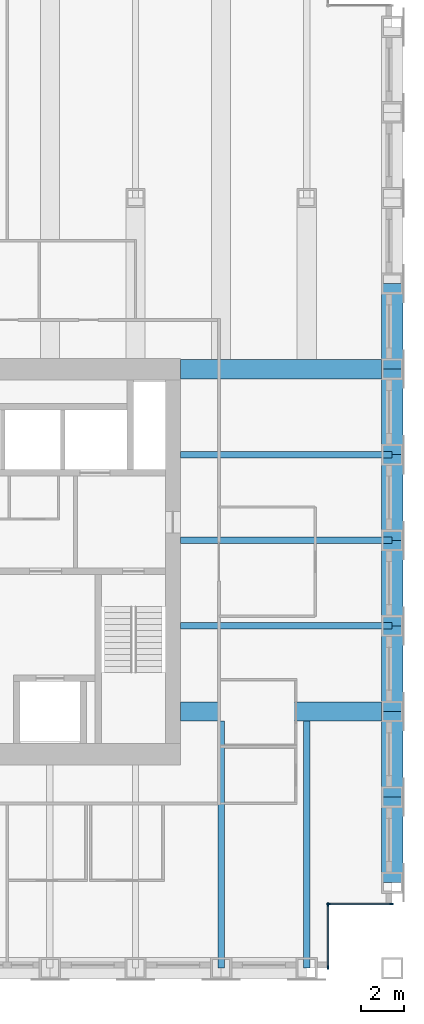
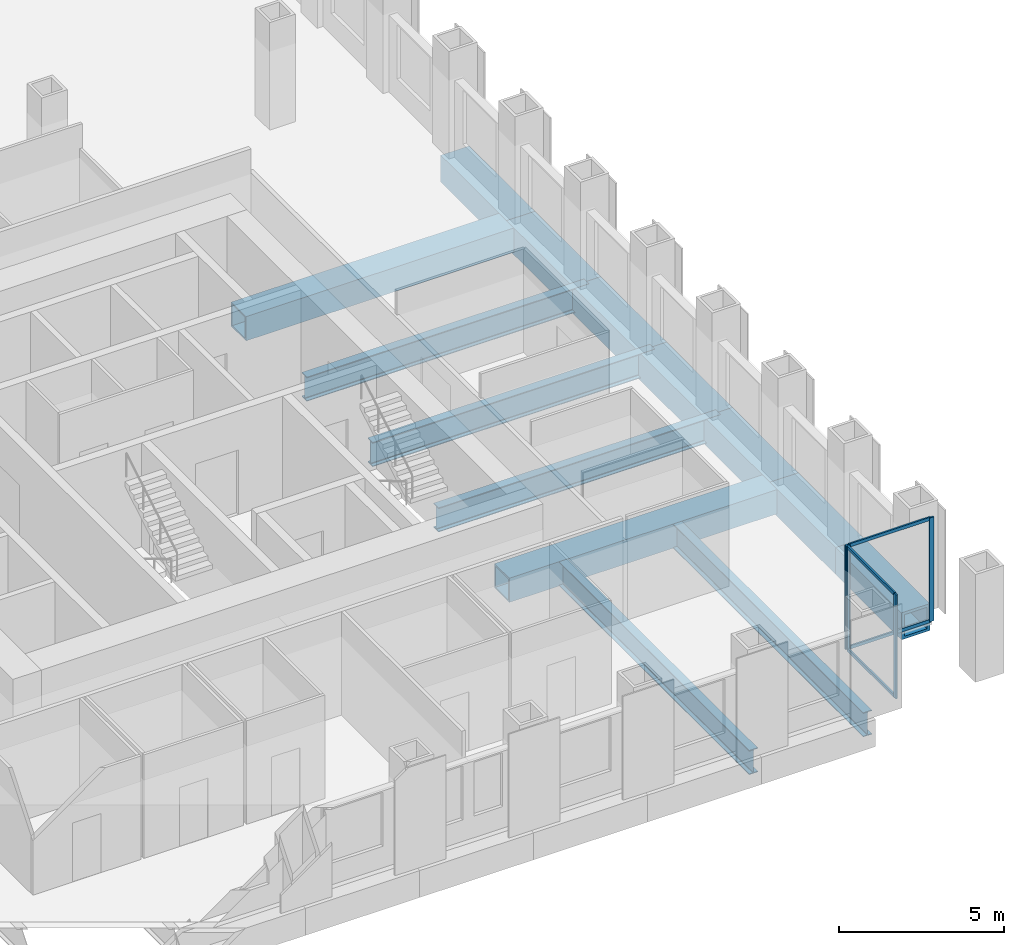
# One storey, part 4 of 14: 14 beams, 8 members, 2 elements without a shape of their own.
"""IFC4 building model written with IfcOpenShell, lengths in metres."""

from ifc_helpers import new_model, si_unit, direction, frame, origin, origin_2d, place, context, subcontext, project, spatial, rectangle, hollow_rectangle, i_section, extrude, material, material_profile, profile_set, type_object, element, aggregate, save


model = new_model("IFC4")

# Units and contexts
model_context = context("Model", 3, precision=1e-05, world=origin(), true_north=direction((0.0, 1.0)))
body_context = subcontext(model_context, "Body", "Model", "MODEL_VIEW")
ifc_project = project(units=[si_unit("LENGTHUNIT", "METRE"), si_unit("AREAUNIT", "SQUARE_METRE"), si_unit("VOLUMEUNIT", "CUBIC_METRE"), si_unit("PLANEANGLEUNIT", "RADIAN"), si_unit("MASSUNIT", "GRAM", prefix="KILO")], contexts=[model_context])

# Site, building, storey
site_placement = place(None, origin())
site = spatial("IfcSite", under=ifc_project, at=site_placement, CompositionType="ELEMENT")
building_placement = place(site_placement, origin())
building = spatial("IfcBuilding", under=site, at=building_placement, Name="Rimbunsela Tower", CompositionType="ELEMENT")
storey_placement = place(building_placement, frame((0.0, 0.0, 179.800048828125)))
storey = spatial("IfcBuildingStorey", under=building, at=storey_placement, Name="L43", CompositionType="ELEMENT", Elevation=179.800048828125)

# Beams
ifc_material_1 = material(Name="Steel BJ 55 (fy 410 MPa)", Category="steel")
ifc_material_profile_1 = material_profile(ifc_material_1, hollow_rectangle(XDim=1.0, YDim=1.0, WallThickness=0.10009765625, at=origin_2d()), Name="BOX 1000x1000x100")
ifc_profile_set_1 = profile_set([ifc_material_profile_1], Name="Steel BJ 55 (fy 410 MPa)")
beam_type_1 = type_object("IfcBeamType", Name="Beam BOX 1000x1000x100", PredefinedType="BEAM", material=ifc_profile_set_1)
for number, where, z_axis, x_axis, name in (
    (1, (46.0, 12.0, -0.650146484375), (0.0, 1.0, 0.0), (-1.0, 0.0, 0.0), "Beam B3 L43"),
    (2, (46.0, 16.0, -0.650146484375), (0.0, 1.0, 0.0), (-1.0, 0.0, 0.0), "Beam B3 L43"),
    (3, (46.0, 20.0, -0.650146484375), (0.0, 1.0, 0.0), (-1.0, 0.0, 0.0), "Beam B3 L43"),
    (4, (46.0, 24.0, -0.650146484375), (0.0, 1.0, 0.0), (-1.0, 0.0, 0.0), "Beam B3 L43"),
    (5, (46.0, 28.0, -0.650146484375), (0.0, 1.0, 0.0), (-1.0, 0.0, 0.0), "Beam B3 L43"),
    (6, (46.0, 32.0, -0.650146484375), (0.0, 1.0, 0.0), (-1.0, 0.0, 0.0), "Beam B3 L43"),
    (7, (46.0, 36.0, -0.650146484375), (0.0, 1.0, 0.0), (-1.0, 0.0, 0.0), "Beam B3 L43"),
):
    element("IfcBeam", number, at=place(storey_placement, frame(where, z_axis=z_axis, x_axis=x_axis)), inside=storey, type_object=beam_type_1, Name=name, PredefinedType="BEAM", context=body_context, shape_type="SweptSolid", body=[
        extrude(hollow_rectangle(XDim=1.0, YDim=1.0, WallThickness=0.10009765625, at=origin_2d()), origin(), (0.0, 0.0, 1.0), 4.0),
    ])
ifc_material_2 = material(Name="Steel BJ 55 (fy 410 MPa)", Category="steel")
ifc_material_profile_2 = material_profile(ifc_material_2, hollow_rectangle(XDim=0.89990234375, YDim=0.89990234375, WallThickness=0.06005859375, at=origin_2d()), Name="BOX 900x900x60")
ifc_profile_set_2 = profile_set([ifc_material_profile_2], Name="Steel BJ 55 (fy 410 MPa)")
beam_type_2 = type_object("IfcBeamType", Name="Beam BOX 900x900x60", PredefinedType="BEAM", material=ifc_profile_set_2)
for number, where, z_axis, x_axis, name in (
    (8, (36.10009765625, 20.0, -0.60009765625), (1.0, 0.0, 0.0), (0.0, 1.0, 0.0), "Beam B1 L43"),
    (9, (36.10009765625, 36.0, -0.60009765625), (1.0, 0.0, 0.0), (0.0, 1.0, 0.0), "Beam B1 L43"),
):
    element("IfcBeam", number, at=place(storey_placement, frame(where, z_axis=z_axis, x_axis=x_axis)), inside=storey, type_object=beam_type_2, Name=name, PredefinedType="BEAM", context=body_context, shape_type="SweptSolid", body=[
        extrude(hollow_rectangle(XDim=0.89990234375, YDim=0.89990234375, WallThickness=0.06005859375, at=origin_2d()), origin(), (0.0, 0.0, 1.0), 9.89990234375),
    ])
ifc_material_3 = material(Name="Steel BJ 55 (fy 410 MPa)", Category="steel")
ifc_material_profile_3 = material_profile(ifc_material_3, i_section(OverallWidth=0.300048828125, OverallDepth=0.89990234375, WebThickness=0.01611328125, FlangeThickness=0.028076171875, FilletRadius=0.028076171875, at=origin_2d()), Name="H 900x300x16x28")
ifc_profile_set_3 = profile_set([ifc_material_profile_3], Name="Steel BJ 55 (fy 410 MPa)")
beam_type_3 = type_object("IfcBeamType", Name="Beam H 900x300x16x28", PredefinedType="BEAM", material=ifc_profile_set_3)
for number, where, z_axis, x_axis, name in (
    (10, (36.10009765625, 24.0, -0.60009765625), (1.0, 0.0, 0.0), (0.0, 1.0, 0.0), "Beam B2 L43"),
    (11, (36.10009765625, 28.0, -0.60009765625), (1.0, 0.0, 0.0), (0.0, 1.0, 0.0), "Beam B2 L43"),
    (12, (36.10009765625, 32.0, -0.60009765625), (1.0, 0.0, 0.0), (0.0, 1.0, 0.0), "Beam B2 L43"),
):
    element("IfcBeam", number, at=place(storey_placement, frame(where, z_axis=z_axis, x_axis=x_axis)), inside=storey, type_object=beam_type_3, Name=name, PredefinedType="BEAM", context=body_context, shape_type="SweptSolid", body=[
        extrude(i_section(OverallWidth=0.300048828125, OverallDepth=0.89990234375, WebThickness=0.01611328125, FlangeThickness=0.028076171875, FilletRadius=0.028076171875, at=origin_2d()), origin(), (0.0, 0.0, 1.0), 9.89990234375),
    ])
for number, where, z_axis, x_axis, name in (
    (13, (38.0, 8.0, -0.60009765625), (0.0, 1.0, 0.0), (-1.0, 0.0, 0.0), "Beam B2 L43"),
    (14, (42.0, 8.0, -0.60009765625), (0.0, 1.0, 0.0), (-1.0, 0.0, 0.0), "Beam B2 L43"),
):
    element("IfcBeam", number, at=place(storey_placement, frame(where, z_axis=z_axis, x_axis=x_axis)), inside=storey, type_object=beam_type_3, Name=name, PredefinedType="BEAM", context=body_context, shape_type="SweptSolid", body=[
        extrude(i_section(OverallWidth=0.300048828125, OverallDepth=0.89990234375, WebThickness=0.01611328125, FlangeThickness=0.028076171875, FilletRadius=0.028076171875, at=origin_2d()), origin(), (0.0, 0.0, 1.0), 11.550048828125),
    ])

# Curtain wall, members
ifc_material_4 = material(Name="Aluminium curtain wall", Category="aluminium")
curtain_wall_type = type_object("IfcCurtainWallType", Name="Corner glazing", PredefinedType="USERDEFINED", material=ifc_material_4)
curtain_wall_1_placement = place(storey_placement, origin())
curtain_wall_1 = element("IfcCurtainWall", 15, at=curtain_wall_1_placement, inside=storey, type_object=curtain_wall_type, Name="Corner glazing L43", ObjectType="CORNER GLAZING", PredefinedType="USERDEFINED")
ifc_material_5 = material(Name="Aluminium mullion", Category="aluminium")
ifc_material_profile_4 = material_profile(ifc_material_5, rectangle(XDim=0.06005859375, YDim=0.159912109375, at=origin_2d()), Name="Mullion 60x160")
ifc_profile_set_4 = profile_set([ifc_material_profile_4], Name="Aluminium mullion")
member_type_1 = type_object("IfcMemberType", Name="Curtain wall mullion 60x160", PredefinedType="MULLION", material=ifc_profile_set_4)
member_1_placement = place(storey_placement, frame((43.0, 8.030029296875, 0.0), z_axis=(0.0, 0.0, 1.0), x_axis=(-1.0, 0.0, 0.0)))
member_1 = element("IfcMember", 16, at=member_1_placement, type_object=member_type_1, Name="CW5 mullion 1", PredefinedType="MULLION", context=body_context, shape_type="SweptSolid", body=[
    extrude(rectangle(XDim=0.06005859375, YDim=0.159912109375, at=origin_2d()), origin(), (0.0, 0.0, 1.0), 3.849853515625),
])
member_2_placement = place(storey_placement, frame((43.0, 10.969970703125, 0.0), z_axis=(0.0, 0.0, 1.0), x_axis=(-1.0, 0.0, 0.0)))
member_2 = element("IfcMember", 17, at=member_2_placement, type_object=member_type_1, Name="CW5 mullion 2", PredefinedType="MULLION", context=body_context, shape_type="SweptSolid", body=[
    extrude(rectangle(XDim=0.06005859375, YDim=0.159912109375, at=origin_2d()), origin(), (0.0, 0.0, 1.0), 3.849853515625),
])

curtain_wall_2_placement = place(storey_placement, origin())
curtain_wall_2 = element("IfcCurtainWall", 18, at=curtain_wall_2_placement, inside=storey, type_object=curtain_wall_type, Name="Corner glazing L43", ObjectType="CORNER GLAZING", PredefinedType="USERDEFINED")
member_3_placement = place(storey_placement, frame((43.030029296875, 11.0, 0.0), z_axis=(0.0, 0.0, 1.0), x_axis=(0.0, 1.0, 0.0)))
member_3 = element("IfcMember", 19, at=member_3_placement, type_object=member_type_1, Name="CW5 mullion 1", PredefinedType="MULLION", context=body_context, shape_type="SweptSolid", body=[
    extrude(rectangle(XDim=0.06005859375, YDim=0.159912109375, at=origin_2d()), origin(), (0.0, 0.0, 1.0), 3.849853515625),
])
member_4_placement = place(storey_placement, frame((45.969970703125, 11.0, 0.0), z_axis=(0.0, 0.0, 1.0), x_axis=(0.0, 1.0, 0.0)))
member_4 = element("IfcMember", 20, at=member_4_placement, type_object=member_type_1, Name="CW5 mullion 2", PredefinedType="MULLION", context=body_context, shape_type="SweptSolid", body=[
    extrude(rectangle(XDim=0.06005859375, YDim=0.159912109375, at=origin_2d()), origin(), (0.0, 0.0, 1.0), 3.849853515625),
])

# Member
ifc_material_6 = material(Name="Aluminium transom", Category="aluminium")
ifc_material_profile_5 = material_profile(ifc_material_6, rectangle(XDim=0.06005859375, YDim=0.1201171875, at=origin_2d()), Name="Transom 60x120")
ifc_profile_set_5 = profile_set([ifc_material_profile_5], Name="Aluminium transom")
member_type_2 = type_object("IfcMemberType", Name="Curtain wall transom 60x120", PredefinedType="USERDEFINED", material=ifc_profile_set_5)
member_5_placement = place(storey_placement, frame((43.0, 8.06005859375, 0.030029296875), z_axis=(0.0, 1.0, 0.0), x_axis=(-1.0, 0.0, 0.0)))
member_5 = element("IfcMember", 21, at=member_5_placement, type_object=member_type_2, Name="CW5 transom 1.1", ObjectType="TRANSOM", PredefinedType="USERDEFINED", context=body_context, shape_type="SweptSolid", body=[
    extrude(rectangle(XDim=0.06005859375, YDim=0.1201171875, at=origin_2d()), origin(), (0.0, 0.0, 1.0), 2.8798828125),
])

member_6_placement = place(storey_placement, frame((43.0, 8.06005859375, 3.820068359375), z_axis=(0.0, 1.0, 0.0), x_axis=(-1.0, 0.0, 0.0)))
member_6 = element("IfcMember", 22, at=member_6_placement, type_object=member_type_2, Name="CW5 transom 1.2", ObjectType="TRANSOM", PredefinedType="USERDEFINED", context=body_context, shape_type="SweptSolid", body=[
    extrude(rectangle(XDim=0.06005859375, YDim=0.1201171875, at=origin_2d()), origin(), (0.0, 0.0, 1.0), 2.8798828125),
])

aggregate(curtain_wall_1, [member_1, member_2, member_5, member_6])

member_7_placement = place(storey_placement, frame((43.06005859375, 11.0, 0.030029296875), z_axis=(1.0, 0.0, 0.0), x_axis=(0.0, 1.0, 0.0)))
member_7 = element("IfcMember", 23, at=member_7_placement, type_object=member_type_2, Name="CW5 transom 1.1", ObjectType="TRANSOM", PredefinedType="USERDEFINED", context=body_context, shape_type="SweptSolid", body=[
    extrude(rectangle(XDim=0.06005859375, YDim=0.1201171875, at=origin_2d()), origin(), (0.0, 0.0, 1.0), 2.8798828125),
])

member_8_placement = place(storey_placement, frame((43.06005859375, 11.0, 3.820068359375), z_axis=(1.0, 0.0, 0.0), x_axis=(0.0, 1.0, 0.0)))
member_8 = element("IfcMember", 24, at=member_8_placement, type_object=member_type_2, Name="CW5 transom 1.2", ObjectType="TRANSOM", PredefinedType="USERDEFINED", context=body_context, shape_type="SweptSolid", body=[
    extrude(rectangle(XDim=0.06005859375, YDim=0.1201171875, at=origin_2d()), origin(), (0.0, 0.0, 1.0), 2.8798828125),
])

aggregate(curtain_wall_2, [member_3, member_4, member_7, member_8])

save(model, "model.ifc")
